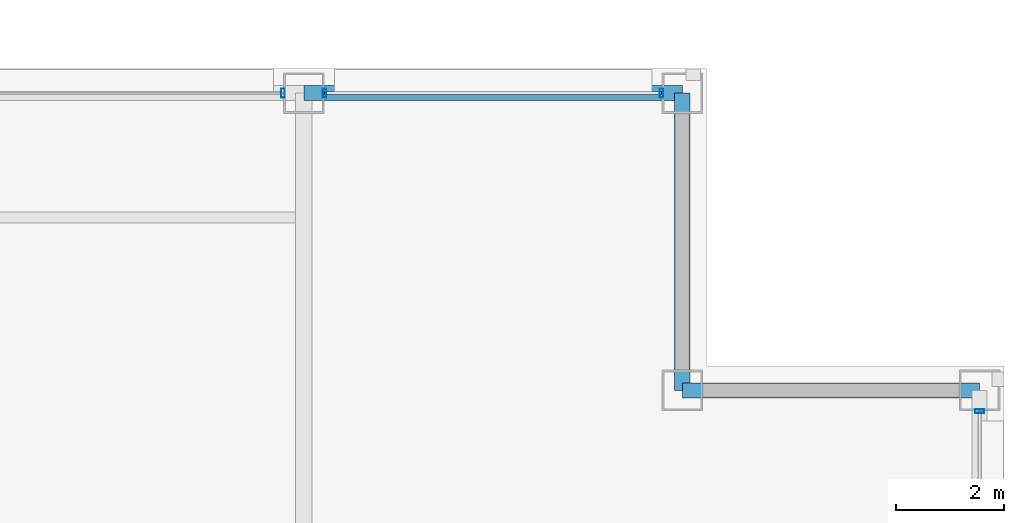
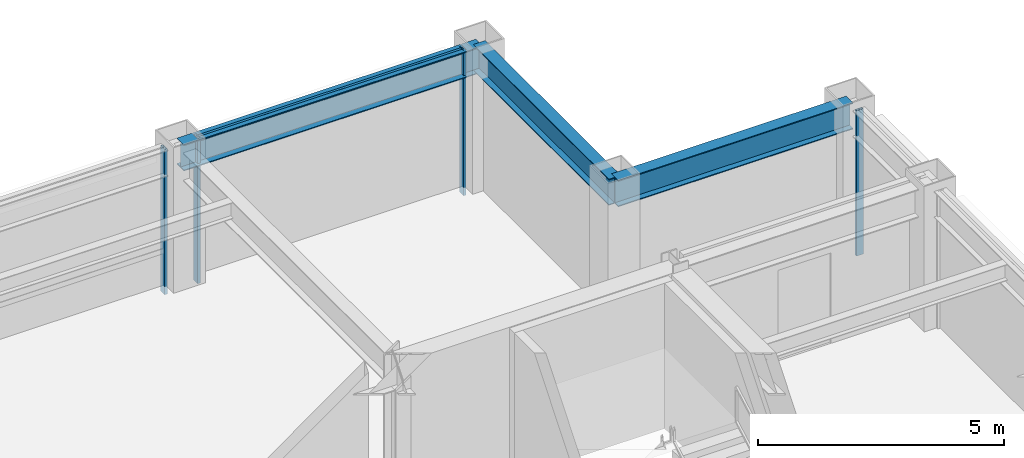
# One storey, part 21 of 27: 5 members, 3 beams, 3 elements without a shape of their own.
"""IFC4 building model written with IfcOpenShell, lengths in metres."""

from ifc_helpers import new_model, si_unit, direction, frame, origin, origin_2d, place, context, subcontext, project, spatial, hollow_rectangle, i_section, extrude, material, layer, layer_set, material_profile, profile_set, type_object, element, aggregate, save


model = new_model("IFC4")

# Units and contexts
model_context = context("Model", 3, precision=1e-05, world=origin(), true_north=direction((0.0, 1.0)))
body_context = subcontext(model_context, "Body", "Model", "MODEL_VIEW")
ifc_project = project(units=[si_unit("LENGTHUNIT", "METRE"), si_unit("AREAUNIT", "SQUARE_METRE"), si_unit("VOLUMEUNIT", "CUBIC_METRE"), si_unit("PLANEANGLEUNIT", "RADIAN"), si_unit("MASSUNIT", "GRAM", prefix="KILO")], contexts=[model_context])

# Site, building, storey
site_placement = place(None, origin())
site = spatial("IfcSite", under=ifc_project, at=site_placement, CompositionType="ELEMENT")
building_placement = place(site_placement, origin())
building = spatial("IfcBuilding", under=site, at=building_placement, Name="Brelmoor Portico Tower", CompositionType="ELEMENT")
storey_placement = place(building_placement, frame((0.0, 0.0, 158.699951171875)))
storey = spatial("IfcBuildingStorey", under=building, at=storey_placement, Name="L41", CompositionType="ELEMENT", Elevation=158.699951171875)

# Beams
ifc_material_1 = material(Name="Steel Q355B", Category="steel")
ifc_material_profile_1 = material_profile(ifc_material_1, i_section(OverallWidth=0.280029296875, OverallDepth=0.64990234375, WebThickness=0.012939453125, FlangeThickness=0.02197265625, at=origin_2d()), Name="HN 650x280x13x22")
ifc_profile_set_1 = profile_set([ifc_material_profile_1], Name="Steel Q355B")
beam_type = type_object("IfcBeamType", Name="BM-SP-650", PredefinedType="SPANDREL", material=ifc_profile_set_1)
beam_1_placement = place(storey_placement, frame((15.050048828125, 13.050048828125, 3.074951171875), z_axis=(1.0, 0.0, 0.0), x_axis=(0.0, 1.0, 0.0)))
element("IfcBeam", 1, at=beam_1_placement, inside=storey, type_object=beam_type, Name="L41 Perimeter Spandrel Beam SP-07", PredefinedType="SPANDREL", context=body_context, shape_type="SweptSolid", body=[
    extrude(i_section(OverallWidth=0.280029296875, OverallDepth=0.64990234375, WebThickness=0.012939453125, FlangeThickness=0.02197265625, at=origin_2d()), origin(), (0.0, 0.0, 1.0), 5.5),
])
beam_2_placement = place(storey_placement, frame((8.050048828125, 18.550048828125, 3.074951171875), z_axis=(1.0, 0.0, 0.0), x_axis=(0.0, 1.0, 0.0)))
element("IfcBeam", 2, at=beam_2_placement, inside=storey, type_object=beam_type, Name="L41 Perimeter Spandrel Beam SP-10", PredefinedType="SPANDREL", context=body_context, shape_type="SweptSolid", body=[
    extrude(i_section(OverallWidth=0.280029296875, OverallDepth=0.64990234375, WebThickness=0.012939453125, FlangeThickness=0.02197265625, at=origin_2d()), origin(), (0.0, 0.0, 1.0), 7.0),
])
beam_3_placement = place(storey_placement, frame((15.050048828125, 13.050048828125, 3.074951171875), z_axis=(0.0, 1.0, 0.0), x_axis=(-1.0, 0.0, 0.0)))
element("IfcBeam", 3, at=beam_3_placement, inside=storey, type_object=beam_type, Name="L41 Perimeter Spandrel Beam SP-17", PredefinedType="SPANDREL", context=body_context, shape_type="SweptSolid", body=[
    extrude(i_section(OverallWidth=0.280029296875, OverallDepth=0.64990234375, WebThickness=0.012939453125, FlangeThickness=0.02197265625, at=origin_2d()), origin(), (0.0, 0.0, 1.0), 5.5),
])

# Curtain wall, member
ifc_material_2 = material(Name="Anodised Aluminium Alloy 6063-T6", Category="aluminium")
ifc_layer_1 = layer(ifc_material_2, 0.179931640625)
ifc_layer_set_1 = layer_set([ifc_layer_1], Name="Anodised Aluminium Alloy 6063-T6")
curtain_wall_type_1 = type_object("IfcCurtainWallType", Name="CW-TOWER-Z3", PredefinedType="NOTDEFINED", material=ifc_layer_set_1)
curtain_wall_1_placement = place(storey_placement, origin())
curtain_wall_1 = element("IfcCurtainWall", 4, at=curtain_wall_1_placement, inside=storey, type_object=curtain_wall_type_1, Name="L41 Curtain Wall CW-L41-2R-1", PredefinedType="NOTDEFINED")
ifc_material_profile_2 = material_profile(ifc_material_2, hollow_rectangle(XDim=0.06494140625, YDim=0.1650390625, WallThickness=0.00390625, at=origin_2d()), Name="ALU MULLION 65x165")
ifc_profile_set_2 = profile_set([ifc_material_profile_2], Name="Anodised Aluminium Alloy 6063-T6")
member_type_1 = type_object("IfcMemberType", Name="MB-CW-MULL-165", PredefinedType="MULLION", material=ifc_profile_set_2)
member_1_placement = place(storey_placement, frame((7.6650390625, 18.550048828125, -0.199951171875), z_axis=(0.0, 0.0, 1.0), x_axis=(1.0, 0.0, 0.0)))
member_1 = element("IfcMember", 5, at=member_1_placement, type_object=member_type_1, Name="CW-L41-2R-1 Mullion 01", PredefinedType="MULLION", context=body_context, shape_type="SweptSolid", body=[
    extrude(hollow_rectangle(XDim=0.06494140625, YDim=0.1650390625, WallThickness=0.00390625, at=origin_2d()), origin(), (0.0, 0.0, 1.0), 3.60009765625),
])
aggregate(curtain_wall_1, [member_1])

# Curtain wall, members
ifc_layer_2 = layer(ifc_material_2, 0.179931640625)
ifc_layer_set_2 = layer_set([ifc_layer_2], Name="Anodised Aluminium Alloy 6063-T6")
curtain_wall_type_2 = type_object("IfcCurtainWallType", Name="CW-TOWER-Z3-XB", PredefinedType="NOTDEFINED", material=ifc_layer_set_2)
curtain_wall_2_placement = place(storey_placement, origin())
curtain_wall_2 = element("IfcCurtainWall", 6, at=curtain_wall_2_placement, inside=storey, type_object=curtain_wall_type_2, Name="L41 Curtain Wall CW-L41-2R-2", PredefinedType="NOTDEFINED")
member_2_placement = place(storey_placement, frame((8.43505859375, 18.550048828125, -0.199951171875), z_axis=(0.0, 0.0, 1.0), x_axis=(1.0, 0.0, 0.0)))
member_2 = element("IfcMember", 7, at=member_2_placement, type_object=member_type_1, Name="CW-L41-2R-2 Mullion 00", PredefinedType="MULLION", context=body_context, shape_type="SweptSolid", body=[
    extrude(hollow_rectangle(XDim=0.06494140625, YDim=0.1650390625, WallThickness=0.00390625, at=origin_2d()), origin(), (0.0, 0.0, 1.0), 3.60009765625),
])
member_3_placement = place(storey_placement, frame((14.6650390625, 18.550048828125, -0.199951171875), z_axis=(0.0, 0.0, 1.0), x_axis=(1.0, 0.0, 0.0)))
member_3 = element("IfcMember", 8, at=member_3_placement, type_object=member_type_1, Name="CW-L41-2R-2 Mullion 01", PredefinedType="MULLION", context=body_context, shape_type="SweptSolid", body=[
    extrude(hollow_rectangle(XDim=0.06494140625, YDim=0.1650390625, WallThickness=0.00390625, at=origin_2d()), origin(), (0.0, 0.0, 1.0), 3.60009765625),
])

# Curtain wall, member
curtain_wall_3_placement = place(storey_placement, origin())
curtain_wall_3 = element("IfcCurtainWall", 9, at=curtain_wall_3_placement, inside=storey, type_object=curtain_wall_type_2, Name="L41 Curtain Wall CW-L41-04-3", PredefinedType="NOTDEFINED")
member_4_placement = place(storey_placement, frame((20.550048828125, 12.6650390625, -0.199951171875), z_axis=(0.0, 0.0, 1.0), x_axis=(0.0, 1.0, 0.0)))
member_4 = element("IfcMember", 10, at=member_4_placement, type_object=member_type_1, Name="CW-L41-04-3 Mullion 01", PredefinedType="MULLION", context=body_context, shape_type="SweptSolid", body=[
    extrude(hollow_rectangle(XDim=0.06494140625, YDim=0.1650390625, WallThickness=0.00390625, at=origin_2d()), origin(), (0.0, 0.0, 1.0), 3.60009765625),
])
aggregate(curtain_wall_3, [member_4])

# Member
ifc_material_profile_3 = material_profile(ifc_material_2, hollow_rectangle(XDim=0.06005859375, YDim=0.125, WallThickness=0.00341796875, at=origin_2d()), Name="ALU TRANSOM 60x125")
ifc_profile_set_3 = profile_set([ifc_material_profile_3], Name="Anodised Aluminium Alloy 6063-T6")
member_type_2 = type_object("IfcMemberType", Name="MB-CW-TRAN-125", PredefinedType="USERDEFINED", material=ifc_profile_set_3)
member_5_placement = place(storey_placement, frame((8.43505859375, 18.550048828125, 3.337646484375), z_axis=(1.0, 0.0, 0.0), x_axis=(0.0, 1.0, 0.0)))
member_5 = element("IfcMember", 11, at=member_5_placement, type_object=member_type_2, Name="CW-L41-2R-2 Transom 1-00", ObjectType="TRANSOM", PredefinedType="USERDEFINED", context=body_context, shape_type="SweptSolid", body=[
    extrude(hollow_rectangle(XDim=0.06005859375, YDim=0.125, WallThickness=0.00341796875, at=origin_2d()), origin(), (0.0, 0.0, 1.0), 6.22998046875),
])

aggregate(curtain_wall_2, [member_2, member_3, member_5])

save(model, "model.ifc")
